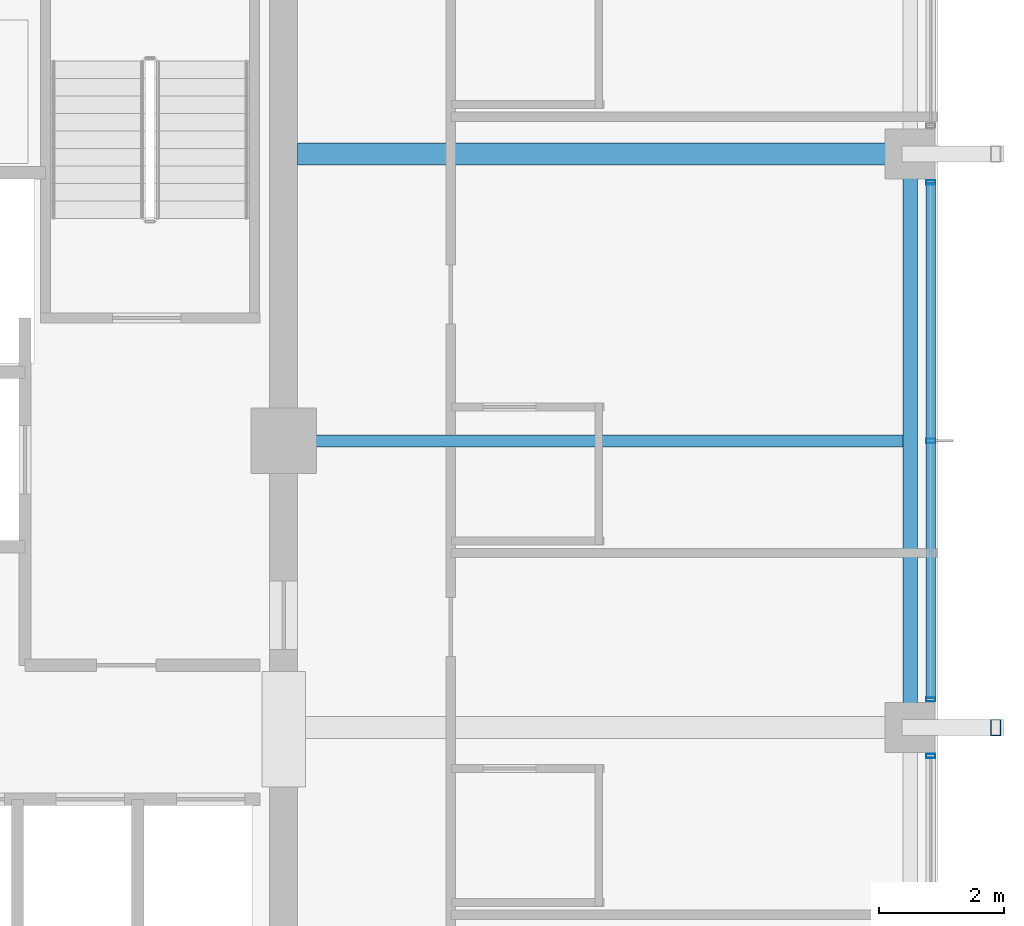
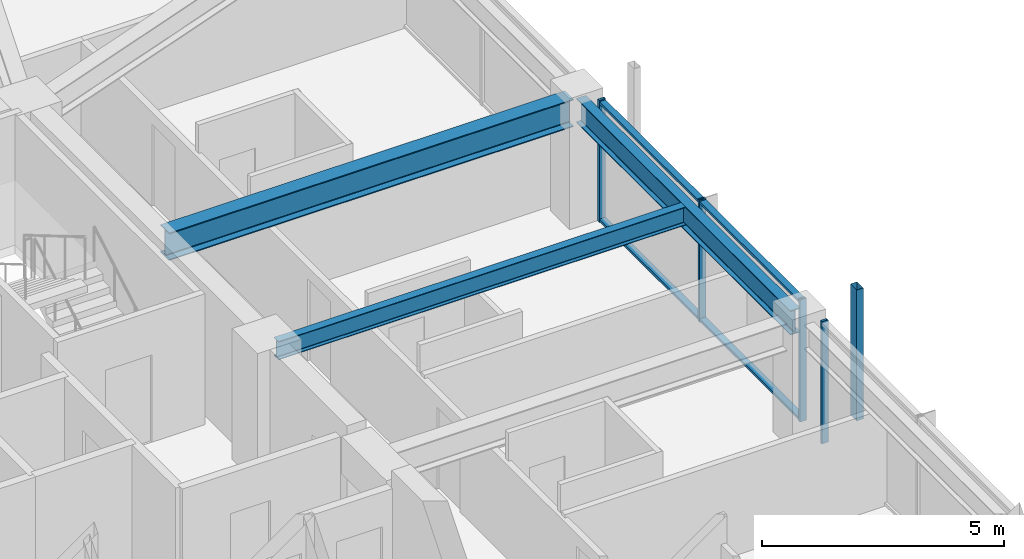
# One storey, part 14 of 38: 7 members, 3 beams, 2 elements without a shape of their own.
"""IFC4 building model written with IfcOpenShell, lengths in metres."""

from ifc_helpers import new_model, si_unit, direction, frame, origin, origin_2d, place, context, subcontext, project, spatial, hollow_rectangle, i_section, extrude, material, material_profile, profile_set, type_object, element, aggregate, save


model = new_model("IFC4")

# Units and contexts
model_context = context("Model", 3, precision=1e-05, world=origin(), true_north=direction((0.0, 1.0)))
body_context = subcontext(model_context, "Body", "Model", "MODEL_VIEW")
ifc_project = project(units=[si_unit("LENGTHUNIT", "METRE"), si_unit("AREAUNIT", "SQUARE_METRE"), si_unit("VOLUMEUNIT", "CUBIC_METRE"), si_unit("PLANEANGLEUNIT", "RADIAN"), si_unit("MASSUNIT", "GRAM", prefix="KILO")], contexts=[model_context])

# Site, building, storey
site_placement = place(None, origin())
site = spatial("IfcSite", under=ifc_project, at=site_placement, CompositionType="ELEMENT")
building_placement = place(site_placement, origin())
building = spatial("IfcBuilding", under=site, at=building_placement, Name="Kolvaren Belvedere", CompositionType="ELEMENT")
storey_placement = place(building_placement, frame((0.0, 0.0, 213.0)))
storey = spatial("IfcBuildingStorey", under=building, at=storey_placement, Name="L62", CompositionType="ELEMENT", Elevation=213.0)

# Beams
ifc_material_1 = material(Name="Structural steel ASTM A992 Grade 50", Category="steel")
ifc_material_profile_1 = material_profile(ifc_material_1, i_section(OverallWidth=0.35498046875, OverallDepth=0.696044921875, WebThickness=0.015380859375, FlangeThickness=0.02490234375, FilletRadius=0.02197265625, at=origin_2d()), Name="W27X146")
ifc_profile_set_1 = profile_set([ifc_material_profile_1], Name="Structural steel ASTM A992 Grade 50")
beam_type_1 = type_object("IfcBeamType", Name="BM-GIRD-W27X146", PredefinedType="BEAM", material=ifc_profile_set_1)
beam_1_placement = place(storey_placement, frame((10.125, 4.60009765625, 2.73193359375), z_axis=(1.0, 0.0, 0.0), x_axis=(0.0, 1.0, 0.0)))
element("IfcBeam", 1, at=beam_1_placement, inside=storey, type_object=beam_type_1, Name="L62 East Radial Girder P", PredefinedType="BEAM", context=body_context, shape_type="SweptSolid", body=[
    extrude(i_section(OverallWidth=0.35498046875, OverallDepth=0.696044921875, WebThickness=0.015380859375, FlangeThickness=0.02490234375, FilletRadius=0.02197265625, at=origin_2d()), origin(), (0.0, 0.0, 1.0), 9.64501953125),
])
ifc_material_2 = material(Name="Structural steel ASTM A992 Grade 50", Category="steel")
ifc_material_profile_2 = material_profile(ifc_material_2, i_section(OverallWidth=0.19091796875, OverallDepth=0.4599609375, WebThickness=0.010009765625, FlangeThickness=0.01611328125, FilletRadius=0.014892578125, at=origin_2d()), Name="W18X55")
ifc_profile_set_2 = profile_set([ifc_material_profile_2], Name="Structural steel ASTM A992 Grade 50")
beam_type_2 = type_object("IfcBeamType", Name="BM-JOIST-W18X55", PredefinedType="BEAM", material=ifc_profile_set_2)
beam_2_placement = place(storey_placement, frame((10.125, 0.0, 2.85009765625), z_axis=(1.0, 0.0, 0.0), x_axis=(0.0, 1.0, 0.0)))
element("IfcBeam", 2, at=beam_2_placement, inside=storey, type_object=beam_type_2, Name="L62 East Centre Floor Beam", PredefinedType="BEAM", context=body_context, shape_type="SweptSolid", body=[
    extrude(i_section(OverallWidth=0.19091796875, OverallDepth=0.4599609375, WebThickness=0.010009765625, FlangeThickness=0.01611328125, FilletRadius=0.014892578125, at=origin_2d()), origin(), (0.0, 0.0, 1.0), 9.71044921875),
])
ifc_material_3 = material(Name="Structural steel ASTM A992 Grade 50", Category="steel")
ifc_material_profile_3 = material_profile(ifc_material_3, i_section(OverallWidth=0.22900390625, OverallDepth=0.612060546875, WebThickness=0.011962890625, FlangeThickness=0.01953125, FilletRadius=0.01806640625, at=origin_2d()), Name="W24X84")
ifc_profile_set_3 = profile_set([ifc_material_profile_3], Name="Structural steel ASTM A992 Grade 50")
beam_type_3 = type_object("IfcBeamType", Name="BM-SPAN-W24X84", PredefinedType="SPANDREL", material=ifc_profile_set_3)
beam_3_placement = place(storey_placement, frame((19.949951171875, -4.419921875, 2.77392578125), z_axis=(0.0, 1.0, 0.0), x_axis=(-1.0, 0.0, 0.0)))
element("IfcBeam", 3, at=beam_3_placement, inside=storey, type_object=beam_type_3, Name="L62 Perimeter Spandrel E2-E3", PredefinedType="SPANDREL", context=body_context, shape_type="SweptSolid", body=[
    extrude(i_section(OverallWidth=0.22900390625, OverallDepth=0.612060546875, WebThickness=0.011962890625, FlangeThickness=0.01953125, FilletRadius=0.01806640625, at=origin_2d()), origin(), (0.0, 0.0, 1.0), 8.83984375),
])

# Curtain wall, members
ifc_material_4 = material(Name="Anodised pale-metal aluminium AA 6063-T6", Category="aluminium")
curtain_wall_type = type_object("IfcCurtainWallType", Name="CW-Z5-HIGH", PredefinedType="NOTDEFINED", material=ifc_material_4)
curtain_wall_1_placement = place(storey_placement, origin())
curtain_wall_1 = element("IfcCurtainWall", 4, at=curtain_wall_1_placement, inside=storey, type_object=curtain_wall_type, Name="L62 Unitised Curtain Wall FCW-L62-E-B2", PredefinedType="NOTDEFINED")
ifc_material_5 = material(Name="Anodised pale-metal aluminium AA 6063-T6", Category="aluminium")
ifc_material_profile_4 = material_profile(ifc_material_5, hollow_rectangle(XDim=0.070068359375, YDim=0.14990234375, WallThickness=0.004150390625, at=origin_2d()), Name="ALU-MUL-150X70")
ifc_profile_set_4 = profile_set([ifc_material_profile_4], Name="Anodised pale-metal aluminium AA 6063-T6")
member_type_1 = type_object("IfcMemberType", Name="CW-MUL-150", PredefinedType="MULLION", material=ifc_profile_set_4)
member_1_placement = place(storey_placement, frame((20.280029296875, 4.14501953125, 0.0), z_axis=(0.0, 0.0, 1.0), x_axis=(0.0, 1.0, 0.0)))
member_1 = element("IfcMember", 5, at=member_1_placement, type_object=member_type_1, Name="FCW-L62-E-B2 Unitised Mullion 1", PredefinedType="MULLION", context=body_context, shape_type="SweptSolid", body=[
    extrude(hollow_rectangle(XDim=0.070068359375, YDim=0.14990234375, WallThickness=0.004150390625, at=origin_2d()), origin(), (0.0, 0.0, 1.0), 3.080078125),
])
member_2_placement = place(storey_placement, frame((20.280029296875, 0.0, 0.0), z_axis=(0.0, 0.0, 1.0), x_axis=(0.0, 1.0, 0.0)))
member_2 = element("IfcMember", 6, at=member_2_placement, type_object=member_type_1, Name="FCW-L62-E-B2 Unitised Mullion 2", PredefinedType="MULLION", context=body_context, shape_type="SweptSolid", body=[
    extrude(hollow_rectangle(XDim=0.070068359375, YDim=0.14990234375, WallThickness=0.004150390625, at=origin_2d()), origin(), (0.0, 0.0, 1.0), 3.080078125),
])
member_3_placement = place(storey_placement, frame((20.280029296875, -4.14501953125, 0.0), z_axis=(0.0, 0.0, 1.0), x_axis=(0.0, 1.0, 0.0)))
member_3 = element("IfcMember", 7, at=member_3_placement, type_object=member_type_1, Name="FCW-L62-E-B2 Unitised Mullion 3", PredefinedType="MULLION", context=body_context, shape_type="SweptSolid", body=[
    extrude(hollow_rectangle(XDim=0.070068359375, YDim=0.14990234375, WallThickness=0.004150390625, at=origin_2d()), origin(), (0.0, 0.0, 1.0), 3.080078125),
])

# Curtain wall, member
curtain_wall_2_placement = place(storey_placement, origin())
curtain_wall_2 = element("IfcCurtainWall", 8, at=curtain_wall_2_placement, inside=storey, type_object=curtain_wall_type, Name="L62 Unitised Curtain Wall FCW-L62-E-B3", PredefinedType="NOTDEFINED")
member_4_placement = place(storey_placement, frame((20.280029296875, -5.054931640625, 0.0), z_axis=(0.0, 0.0, 1.0), x_axis=(0.0, 1.0, 0.0)))
member_4 = element("IfcMember", 9, at=member_4_placement, type_object=member_type_1, Name="FCW-L62-E-B3 Unitised Mullion 1", PredefinedType="MULLION", context=body_context, shape_type="SweptSolid", body=[
    extrude(hollow_rectangle(XDim=0.070068359375, YDim=0.14990234375, WallThickness=0.004150390625, at=origin_2d()), origin(), (0.0, 0.0, 1.0), 3.080078125),
])
aggregate(curtain_wall_2, [member_4])

# Member
ifc_material_6 = material(Name="Anodised pale-metal aluminium AA 6063-T6", Category="aluminium")
ifc_material_profile_5 = material_profile(ifc_material_6, hollow_rectangle(XDim=0.06494140625, YDim=0.14990234375, WallThickness=0.00390625, at=origin_2d()), Name="ALU-TRN-150X65")
ifc_profile_set_5 = profile_set([ifc_material_profile_5], Name="Anodised pale-metal aluminium AA 6063-T6")
member_type_2 = type_object("IfcMemberType", Name="CW-TRN-150", PredefinedType="USERDEFINED", material=ifc_profile_set_5)
member_5_placement = place(storey_placement, frame((20.280029296875, 4.14501953125, 0.06005859375), z_axis=(0.0, -1.0, 0.0), x_axis=(0.0, 0.0, 1.0)))
member_5 = element("IfcMember", 10, at=member_5_placement, type_object=member_type_2, Name="FCW-L62-E-B2 Sill Transom", ObjectType="TRANSOM", PredefinedType="USERDEFINED", context=body_context, shape_type="SweptSolid", body=[
    extrude(hollow_rectangle(XDim=0.06494140625, YDim=0.14990234375, WallThickness=0.00390625, at=origin_2d()), origin(), (0.0, 0.0, 1.0), 8.2900390625),
])

member_6_placement = place(storey_placement, frame((20.280029296875, 4.14501953125, 3.02001953125), z_axis=(0.0, -1.0, 0.0), x_axis=(0.0, 0.0, 1.0)))
member_6 = element("IfcMember", 11, at=member_6_placement, type_object=member_type_2, Name="FCW-L62-E-B2 Head Transom", ObjectType="TRANSOM", PredefinedType="USERDEFINED", context=body_context, shape_type="SweptSolid", body=[
    extrude(hollow_rectangle(XDim=0.06494140625, YDim=0.14990234375, WallThickness=0.00390625, at=origin_2d()), origin(), (0.0, 0.0, 1.0), 8.2900390625),
])

aggregate(curtain_wall_1, [member_1, member_2, member_3, member_5, member_6])

ifc_material_7 = material(Name="Anodised pale-metal aluminium AA 6063-T6", Category="aluminium")
ifc_material_profile_6 = material_profile(ifc_material_7, hollow_rectangle(XDim=0.159912109375, YDim=0.260009765625, WallThickness=0.006591796875, at=origin_2d()), Name="ALU-PF-260X160")
ifc_profile_set_6 = profile_set([ifc_material_profile_6], Name="Anodised pale-metal aluminium AA 6063-T6")
member_type_3 = type_object("IfcMemberType", Name="PF-FRAME-260", PredefinedType="USERDEFINED", material=ifc_profile_set_6)
member_7_placement = place(storey_placement, frame((21.320068359375, -4.60009765625, 0.0), z_axis=(0.0, 0.0, 1.0), x_axis=(1.0, 0.0, 0.0)))
element("IfcMember", 12, at=member_7_placement, inside=storey, type_object=member_type_3, Name="L62 Outboard Picture-Frame Vertical E2", ObjectType="PICTURE FRAME FIN", PredefinedType="USERDEFINED", context=body_context, shape_type="SweptSolid", body=[
    extrude(hollow_rectangle(XDim=0.159912109375, YDim=0.260009765625, WallThickness=0.006591796875, at=origin_2d()), origin(), (0.0, 0.0, 1.0), 3.300048828125),
])

save(model, "model.ifc")
